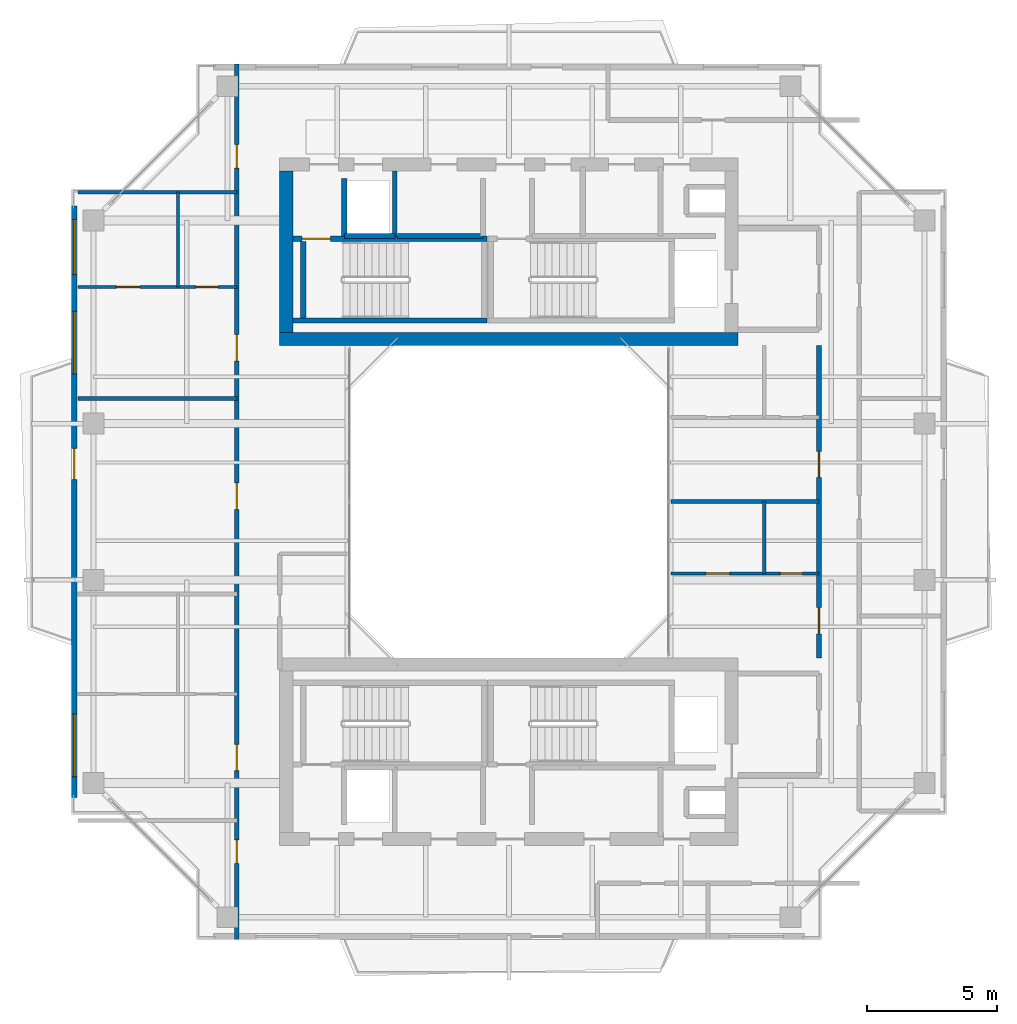
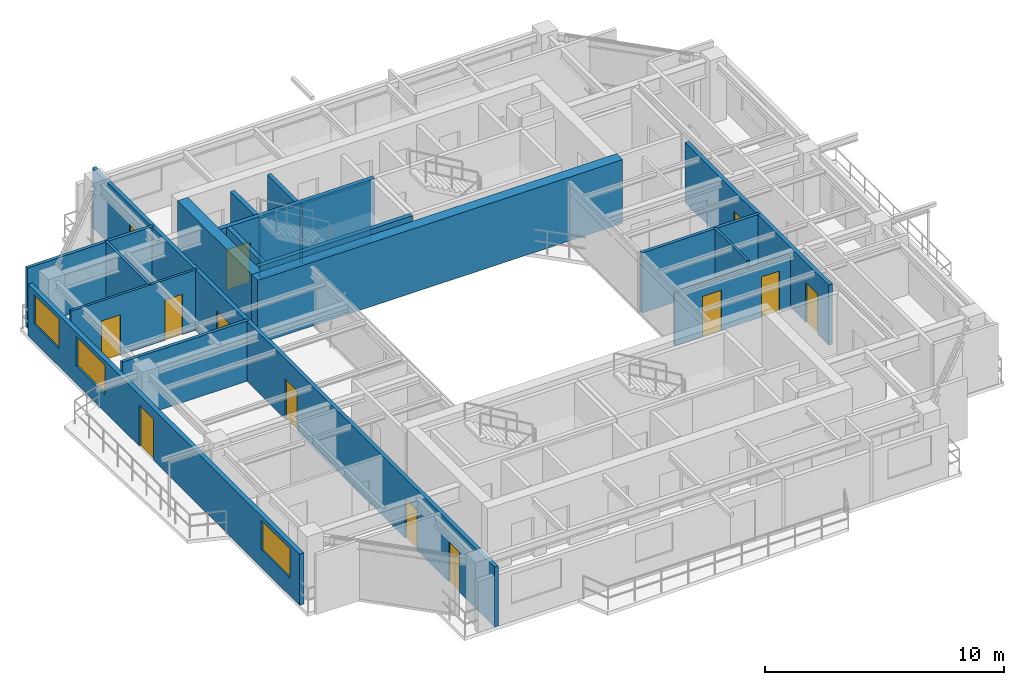
# One storey, part 11 of 15: 19 walls, 13 doors, 3 windows, 16 openings.
"""IFC4 building model written with IfcOpenShell, lengths in metres."""

from ifc_helpers import new_model, si_unit, direction, frame, frame_2d, origin, place, context, subcontext, project, spatial, rectangle, extrude, source, transform, mapped, material, layer, layer_set, type_object, element, fill, save


model = new_model("IFC4")

# Units and contexts
model_context = context("Model", 3, precision=1e-05, world=origin(), true_north=direction((0.0, 1.0)))
body_context = subcontext(model_context, "Body", "Model", "MODEL_VIEW")
ifc_project = project(units=[si_unit("LENGTHUNIT", "METRE"), si_unit("AREAUNIT", "SQUARE_METRE"), si_unit("VOLUMEUNIT", "CUBIC_METRE"), si_unit("PLANEANGLEUNIT", "RADIAN"), si_unit("MASSUNIT", "GRAM", prefix="KILO"), si_unit("THERMODYNAMICTEMPERATUREUNIT", "KELVIN"), si_unit("POWERUNIT", "WATT")], contexts=[model_context])

# Site, building, storey
site_placement = place(None, origin())
site = spatial("IfcSite", under=ifc_project, at=site_placement, CompositionType="ELEMENT")
building_placement = place(site_placement, origin())
building = spatial("IfcBuilding", under=site, at=building_placement, Name="Qiaomeng Ring Towers", CompositionType="ELEMENT")
storey_placement = place(building_placement, frame((0.0, 0.0, 206.75)))
storey = spatial("IfcBuildingStorey", under=building, at=storey_placement, Name="L60", CompositionType="ELEMENT", Elevation=206.75)

# Wall, openings, windows, door
ifc_material_1 = material(Name="Precast concrete C40", Category="concrete")
ifc_layer_1 = layer(ifc_material_1, 0.219970703125, Name="Precast concrete C40")
ifc_layer_set_1 = layer_set([ifc_layer_1], Name="Precast concrete C40")
wall_type_1 = type_object("IfcWallType", Name="ARC-WL-EW2", PredefinedType="STANDARD", material=ifc_layer_set_1)
wall_1_placement = place(storey_placement, frame((2.31005859375, 11.64990234375, 0.0), z_axis=(0.0, 0.0, 1.0), x_axis=(0.0, 1.0, 0.0)))
wall_1 = element("IfcWall", 1, at=wall_1_placement, inside=storey, type_object=wall_type_1, Name="L60 Tower 1 W Exterior Wall", PredefinedType="STANDARD", context=body_context, shape_type="SweptSolid", body=[
    extrude(rectangle(XDim=22.7001953125, YDim=0.219970703125, at=frame_2d((11.35009765625, 0.0))), origin(), (0.0, 0.0, 1.0), 2.610107421875),
])
opening_1_placement = place(wall_1_placement, frame((12.199951171875, 0.0, 0.0)))
opening_1 = element("IfcOpeningElement", 2, at=opening_1_placement, cuts=wall_1, Name="Opening BD1", PredefinedType="OPENING", context=body_context, shape_type="SweptSolid", body=[
    extrude(rectangle(XDim=1.199951171875, YDim=2.10009765625, at=frame_2d((0.60009765625, 1.050048828125))), frame((0.0, 0.119873046875, 0.0), z_axis=(0.0, -1.0, 0.0), x_axis=(1.0, 0.0, 0.0)), (0.0, 0.0, 1.0), 0.239990234375),
])
opening_2_placement = place(wall_1_placement, frame((0.800048828125, 0.0, 0.89990234375)))
opening_2 = element("IfcOpeningElement", 3, at=opening_2_placement, cuts=wall_1, Name="Opening WN6", PredefinedType="OPENING", context=body_context, shape_type="SweptSolid", body=[
    extrude(rectangle(XDim=2.39990234375, YDim=1.5, at=frame_2d((1.199951171875, 0.75))), frame((0.0, 0.119873046875, 0.0), z_axis=(0.0, -1.0, 0.0), x_axis=(1.0, 0.0, 0.0)), (0.0, 0.0, 1.0), 0.239990234375),
])
opening_3_placement = place(wall_1_placement, frame((20.080078125, 0.0, 0.89990234375)))
opening_3 = element("IfcOpeningElement", 4, at=opening_3_placement, cuts=wall_1, Name="Opening WN4", PredefinedType="OPENING", context=body_context, shape_type="SweptSolid", body=[
    extrude(rectangle(XDim=2.10009765625, YDim=1.5, at=frame_2d((1.050048828125, 0.75))), frame((0.0, 0.119873046875, 0.0), z_axis=(0.0, -1.0, 0.0), x_axis=(1.0, 0.0, 0.0)), (0.0, 0.0, 1.0), 0.239990234375),
])
opening_4_placement = place(wall_1_placement, frame((16.257568359375, 0.0, 0.89990234375)))
opening_4 = element("IfcOpeningElement", 5, at=opening_4_placement, cuts=wall_1, Name="Opening WN6", PredefinedType="OPENING", context=body_context, shape_type="SweptSolid", body=[
    extrude(rectangle(XDim=2.39990234375, YDim=1.5, at=frame_2d((1.199951171875, 0.75))), frame((0.0, 0.119873046875, 0.0), z_axis=(0.0, -1.0, 0.0), x_axis=(1.0, 0.0, 0.0)), (0.0, 0.0, 1.0), 0.239990234375),
])
ifc_material_2 = material(Name="Low-E dark-grey laminated double glazing", Category="glass")
window_type_1 = type_object("IfcWindowType", Name="ARC-WN-4", PartitioningType="TRIPLE_PANEL_VERTICAL", PredefinedType="WINDOW", material=ifc_material_2)
shared_shape_1 = source(origin(), body_context, "Body", "SweptSolid", [
    extrude(rectangle(XDim=2.10009765625, YDim=1.5, at=frame_2d((1.050048828125, 0.75))), frame((0.0, 0.030029296875, 0.0), z_axis=(0.0, -1.0, 0.0), x_axis=(1.0, 0.0, 0.0)), (0.0, 0.0, 1.0), 0.06005859375),
])
window_1_placement = place(opening_3_placement, origin())
window_1 = element("IfcWindow", 6, at=window_1_placement, inside=storey, type_object=window_type_1, Name="L60 Exterior Window WN4", OverallHeight=1.5, OverallWidth=2.10009765625, PartitioningType="TRIPLE_PANEL_VERTICAL", PredefinedType="WINDOW", context=body_context, shape_type="MappedRepresentation", body=[
    mapped(shared_shape_1, transform((0.0, 0.0, 0.0), x_axis=(1.0, 0.0, 0.0), y_axis=(0.0, 1.0, 0.0), z_axis=(0.0, 0.0, 1.0), scale=1.0)),
])
fill(opening_3, window_1)
door_type_1 = type_object("IfcDoorType", Name="ARC-DR-BD1", OperationType="NOTDEFINED", PredefinedType="DOOR", material=ifc_material_2)
shared_shape_2 = source(origin(), body_context, "Body", "SweptSolid", [
    extrude(rectangle(XDim=1.199951171875, YDim=2.10009765625, at=frame_2d((0.60009765625, 1.050048828125))), frame((0.0, 0.02490234375, 0.0), z_axis=(0.0, -1.0, 0.0), x_axis=(1.0, 0.0, 0.0)), (0.0, 0.0, 1.0), 0.050048828125),
])
door_1_placement = place(opening_1_placement, frame((1.199951171875, 0.0, 0.0), z_axis=(0.0, 0.0, 1.0), x_axis=(-1.0, 0.0, 0.0)))
door_1 = element("IfcDoor", 7, at=door_1_placement, inside=storey, type_object=door_type_1, Name="L60 W Balcony Glazed Door", OperationType="SINGLE_SWING_LEFT", OverallHeight=2.10009765625, OverallWidth=1.199951171875, PredefinedType="DOOR", context=body_context, shape_type="MappedRepresentation", body=[
    mapped(shared_shape_2, transform((0.0, 0.0, 0.0), x_axis=(1.0, 0.0, 0.0), y_axis=(0.0, 1.0, 0.0), z_axis=(0.0, 0.0, 1.0), scale=1.0)),
])
fill(opening_1, door_1)
window_type_2 = type_object("IfcWindowType", Name="ARC-WN-6", PartitioningType="TRIPLE_PANEL_VERTICAL", PredefinedType="WINDOW", material=ifc_material_2)
shared_shape_3 = source(origin(), body_context, "Body", "SweptSolid", [
    extrude(rectangle(XDim=2.39990234375, YDim=1.5, at=frame_2d((1.199951171875, 0.75))), frame((0.0, 0.030029296875, 0.0), z_axis=(0.0, -1.0, 0.0), x_axis=(1.0, 0.0, 0.0)), (0.0, 0.0, 1.0), 0.06005859375),
])
window_2_placement = place(opening_2_placement, origin())
window_2 = element("IfcWindow", 8, at=window_2_placement, inside=storey, type_object=window_type_2, Name="L60 Exterior Window WN6", OverallHeight=1.5, OverallWidth=2.39990234375, PartitioningType="TRIPLE_PANEL_VERTICAL", PredefinedType="WINDOW", context=body_context, shape_type="MappedRepresentation", body=[
    mapped(shared_shape_3, transform((0.0, 0.0, 0.0), x_axis=(1.0, 0.0, 0.0), y_axis=(0.0, 1.0, 0.0), z_axis=(0.0, 0.0, 1.0), scale=1.0)),
])
fill(opening_2, window_2)
window_3_placement = place(opening_4_placement, origin())
window_3 = element("IfcWindow", 9, at=window_3_placement, inside=storey, type_object=window_type_2, Name="L60 Exterior Window WN6", OverallHeight=1.5, OverallWidth=2.39990234375, PartitioningType="TRIPLE_PANEL_VERTICAL", PredefinedType="WINDOW", context=body_context, shape_type="MappedRepresentation", body=[
    mapped(shared_shape_3, transform((0.0, 0.0, 0.0), x_axis=(1.0, 0.0, 0.0), y_axis=(0.0, 1.0, 0.0), z_axis=(0.0, 0.0, 1.0), scale=1.0)),
])
fill(opening_4, window_3)

# Walls
ifc_material_3 = material(Name="Autoclaved aerated concrete block", Category="concrete")
ifc_layer_2 = layer(ifc_material_3, 0.199951171875, Name="Autoclaved aerated concrete block")
ifc_layer_set_2 = layer_set([ifc_layer_2], Name="Autoclaved aerated concrete block")
wall_type_2 = type_object("IfcWallType", Name="ARC-WL-PW1", PredefinedType="PARTITIONING", material=ifc_layer_set_2)
wall_2_placement = place(storey_placement, frame((12.679931640625, 33.18994140625, 0.0), z_axis=(0.0, 0.0, 1.0), x_axis=(0.0, 1.0, 0.0)))
element("IfcWall", 10, at=wall_2_placement, inside=storey, type_object=wall_type_2, Name="L60 Interior Wall PW1", PredefinedType="PARTITIONING", context=body_context, shape_type="SweptSolid", body=[
    extrude(rectangle(XDim=2.2099609375, YDim=0.199951171875, at=frame_2d((1.10498046875, 0.0))), origin(), (0.0, 0.0, 1.0), 3.070068359375),
])
wall_3_placement = place(storey_placement, frame((14.719970703125, 33.199951171875, 0.0), z_axis=(0.0, 0.0, 1.0), x_axis=(1.0, 0.0, 0.0)))
element("IfcWall", 11, at=wall_3_placement, inside=storey, type_object=wall_type_2, Name="L60 Interior Wall PW1", PredefinedType="PARTITIONING", context=body_context, shape_type="SweptSolid", body=[
    extrude(rectangle(XDim=3.280029296875, YDim=0.199951171875, at=frame_2d((1.64013671875, 0.0))), origin(), (0.0, 0.0, 1.0), 3.070068359375),
])

# Wall, openings, doors
ifc_layer_3 = layer(ifc_material_3, 0.179931640625, Name="Autoclaved aerated concrete block")
ifc_layer_set_3 = layer_set([ifc_layer_3], Name="Autoclaved aerated concrete block")
wall_type_3 = type_object("IfcWallType", Name="ARC-WL-PW2", PredefinedType="PARTITIONING", material=ifc_layer_set_3)
wall_4_placement = place(storey_placement, frame((8.550048828125, 6.199951171875, 0.0), z_axis=(0.0, 0.0, 1.0), x_axis=(0.0, 1.0, 0.0)))
wall_4 = element("IfcWall", 12, at=wall_4_placement, inside=storey, type_object=wall_type_3, Name="L60 Interior Wall PW2", PredefinedType="PARTITIONING", context=body_context, shape_type="SweptSolid", body=[
    extrude(rectangle(XDim=33.60009765625, YDim=0.179931640625, at=frame_2d((16.800048828125, 0.0))), origin(), (0.0, 0.0, 1.0), 3.070068359375),
])
opening_5_placement = place(wall_4_placement, frame((29.60498046875, 0.0, 0.0)))
opening_5 = element("IfcOpeningElement", 13, at=opening_5_placement, cuts=wall_4, Name="Opening ID1", PredefinedType="OPENING", context=body_context, shape_type="SweptSolid", body=[
    extrude(rectangle(XDim=0.89990234375, YDim=2.050048828125, at=frame_2d((0.449951171875, 1.02490234375))), frame((0.0, 0.099853515625, 0.0), z_axis=(0.0, -1.0, 0.0), x_axis=(1.0, 0.0, 0.0)), (0.0, 0.0, 1.0), 0.199951171875),
])
opening_6_placement = place(wall_4_placement, frame((2.919921875, 0.0, 0.0)))
opening_6 = element("IfcOpeningElement", 14, at=opening_6_placement, cuts=wall_4, Name="Opening ID1", PredefinedType="OPENING", context=body_context, shape_type="SweptSolid", body=[
    extrude(rectangle(XDim=0.89990234375, YDim=2.050048828125, at=frame_2d((0.449951171875, 1.02490234375))), frame((0.0, 0.099853515625, 0.0), z_axis=(0.0, -1.0, 0.0), x_axis=(1.0, 0.0, 0.0)), (0.0, 0.0, 1.0), 0.199951171875),
])
opening_7_placement = place(wall_4_placement, frame((6.47998046875, 0.0, 0.0)))
opening_7 = element("IfcOpeningElement", 15, at=opening_7_placement, cuts=wall_4, Name="Opening FD4", PredefinedType="OPENING", context=body_context, shape_type="SweptSolid", body=[
    extrude(rectangle(XDim=1.0, YDim=2.050048828125, at=frame_2d((0.5, 1.02490234375))), frame((0.0, 0.099853515625, 0.0), z_axis=(0.0, -1.0, 0.0), x_axis=(1.0, 0.0, 0.0)), (0.0, 0.0, 1.0), 0.199951171875),
])
opening_8_placement = place(wall_4_placement, frame((16.510009765625, 0.0, 0.0)))
opening_8 = element("IfcOpeningElement", 16, at=opening_8_placement, cuts=wall_4, Name="Opening FD4", PredefinedType="OPENING", context=body_context, shape_type="SweptSolid", body=[
    extrude(rectangle(XDim=1.0, YDim=2.050048828125, at=frame_2d((0.5, 1.02490234375))), frame((0.0, 0.099853515625, 0.0), z_axis=(0.0, -1.0, 0.0), x_axis=(1.0, 0.0, 0.0)), (0.0, 0.0, 1.0), 0.199951171875),
])
opening_9_placement = place(wall_4_placement, frame((22.2099609375, 0.0, 0.0)))
opening_9 = element("IfcOpeningElement", 17, at=opening_9_placement, cuts=wall_4, Name="Opening FD4", PredefinedType="OPENING", context=body_context, shape_type="SweptSolid", body=[
    extrude(rectangle(XDim=1.0, YDim=2.050048828125, at=frame_2d((0.5, 1.02490234375))), frame((0.0, 0.099853515625, 0.0), z_axis=(0.0, -1.0, 0.0), x_axis=(1.0, 0.0, 0.0)), (0.0, 0.0, 1.0), 0.199951171875),
])
ifc_material_4 = material(Name="Engineered fire-rated oak timber", Category="wood")
door_type_2 = type_object("IfcDoorType", Name="ARC-DR-FD4", OperationType="NOTDEFINED", PredefinedType="DOOR", material=ifc_material_4)
shared_shape_4 = source(origin(), body_context, "Body", "SweptSolid", [
    extrude(rectangle(XDim=1.0, YDim=2.050048828125, at=frame_2d((0.5, 1.02490234375))), frame((0.0, 0.02490234375, 0.0), z_axis=(0.0, -1.0, 0.0), x_axis=(1.0, 0.0, 0.0)), (0.0, 0.0, 1.0), 0.050048828125),
])
door_2_placement = place(opening_7_placement, origin())
door_2 = element("IfcDoor", 18, at=door_2_placement, inside=storey, type_object=door_type_2, Name="L60 Door FD4", OperationType="SINGLE_SWING_LEFT", OverallHeight=2.050048828125, OverallWidth=1.0, PredefinedType="DOOR", context=body_context, shape_type="MappedRepresentation", body=[
    mapped(shared_shape_4, transform((0.0, 0.0, 0.0), x_axis=(1.0, 0.0, 0.0), y_axis=(0.0, 1.0, 0.0), z_axis=(0.0, 0.0, 1.0), scale=1.0)),
])
fill(opening_7, door_2)
door_3_placement = place(opening_8_placement, origin())
door_3 = element("IfcDoor", 19, at=door_3_placement, inside=storey, type_object=door_type_2, Name="L60 Door FD4", OperationType="SINGLE_SWING_RIGHT", OverallHeight=2.050048828125, OverallWidth=1.0, PredefinedType="DOOR", context=body_context, shape_type="MappedRepresentation", body=[
    mapped(shared_shape_4, transform((0.0, 0.0, 0.0), x_axis=(1.0, 0.0, 0.0), y_axis=(0.0, 1.0, 0.0), z_axis=(0.0, 0.0, 1.0), scale=1.0)),
])
fill(opening_8, door_3)
door_4_placement = place(opening_9_placement, origin())
door_4 = element("IfcDoor", 20, at=door_4_placement, inside=storey, type_object=door_type_2, Name="L60 Door FD4", OperationType="SINGLE_SWING_LEFT", OverallHeight=2.050048828125, OverallWidth=1.0, PredefinedType="DOOR", context=body_context, shape_type="MappedRepresentation", body=[
    mapped(shared_shape_4, transform((0.0, 0.0, 0.0), x_axis=(1.0, 0.0, 0.0), y_axis=(0.0, 1.0, 0.0), z_axis=(0.0, 0.0, 1.0), scale=1.0)),
])
fill(opening_9, door_4)
ifc_material_5 = material(Name="Engineered oak timber", Category="wood")
door_type_3 = type_object("IfcDoorType", Name="ARC-DR-ID1", OperationType="NOTDEFINED", PredefinedType="DOOR", material=ifc_material_5)
shared_shape_5 = source(origin(), body_context, "Body", "SweptSolid", [
    extrude(rectangle(XDim=0.89990234375, YDim=2.050048828125, at=frame_2d((0.449951171875, 1.02490234375))), frame((0.0, 0.02490234375, 0.0), z_axis=(0.0, -1.0, 0.0), x_axis=(1.0, 0.0, 0.0)), (0.0, 0.0, 1.0), 0.050048828125),
])
door_5_placement = place(opening_5_placement, origin())
door_5 = element("IfcDoor", 21, at=door_5_placement, inside=storey, type_object=door_type_3, Name="L60 Door ID1", OperationType="SINGLE_SWING_LEFT", OverallHeight=2.050048828125, OverallWidth=0.89990234375, PredefinedType="DOOR", context=body_context, shape_type="MappedRepresentation", body=[
    mapped(shared_shape_5, transform((0.0, 0.0, 0.0), x_axis=(1.0, 0.0, 0.0), y_axis=(0.0, 1.0, 0.0), z_axis=(0.0, 0.0, 1.0), scale=1.0)),
])
fill(opening_5, door_5)
door_6_placement = place(opening_6_placement, origin())
door_6 = element("IfcDoor", 22, at=door_6_placement, inside=storey, type_object=door_type_3, Name="L60 Door ID1", OperationType="SINGLE_SWING_RIGHT", OverallHeight=2.050048828125, OverallWidth=0.89990234375, PredefinedType="DOOR", context=body_context, shape_type="MappedRepresentation", body=[
    mapped(shared_shape_5, transform((0.0, 0.0, 0.0), x_axis=(1.0, 0.0, 0.0), y_axis=(0.0, 1.0, 0.0), z_axis=(0.0, 0.0, 1.0), scale=1.0)),
])
fill(opening_6, door_6)

wall_5_placement = place(storey_placement, frame((30.89990234375, 17.0, 0.0), z_axis=(0.0, 0.0, 1.0), x_axis=(0.0, 1.0, 0.0)))
wall_5 = element("IfcWall", 23, at=wall_5_placement, inside=storey, type_object=wall_type_3, Name="L60 Interior Wall PW2", PredefinedType="PARTITIONING", context=body_context, shape_type="SweptSolid", body=[
    extrude(rectangle(XDim=12.0, YDim=0.179931640625, at=frame_2d((6.0, 0.0))), origin(), (0.0, 0.0, 1.0), 3.070068359375),
])
opening_10_placement = place(wall_5_placement, frame((0.929931640625, 0.0, 0.0)))
opening_10 = element("IfcOpeningElement", 24, at=opening_10_placement, cuts=wall_5, Name="Opening FD4", PredefinedType="OPENING", context=body_context, shape_type="SweptSolid", body=[
    extrude(rectangle(XDim=1.0, YDim=2.050048828125, at=frame_2d((0.5, 1.02490234375))), frame((0.0, 0.099853515625, 0.0), z_axis=(0.0, -1.0, 0.0), x_axis=(1.0, 0.0, 0.0)), (0.0, 0.0, 1.0), 0.199951171875),
])
opening_11_placement = place(wall_5_placement, frame((6.929931640625, 0.0, 0.0)))
opening_11 = element("IfcOpeningElement", 25, at=opening_11_placement, cuts=wall_5, Name="Opening FD4", PredefinedType="OPENING", context=body_context, shape_type="SweptSolid", body=[
    extrude(rectangle(XDim=1.0, YDim=2.050048828125, at=frame_2d((0.5, 1.02490234375))), frame((0.0, 0.099853515625, 0.0), z_axis=(0.0, -1.0, 0.0), x_axis=(1.0, 0.0, 0.0)), (0.0, 0.0, 1.0), 0.199951171875),
])
door_7_placement = place(opening_10_placement, origin())
door_7 = element("IfcDoor", 26, at=door_7_placement, inside=storey, type_object=door_type_2, Name="L60 Door FD4", OperationType="SINGLE_SWING_LEFT", OverallHeight=2.050048828125, OverallWidth=1.0, PredefinedType="DOOR", context=body_context, shape_type="MappedRepresentation", body=[
    mapped(shared_shape_4, transform((0.0, 0.0, 0.0), x_axis=(1.0, 0.0, 0.0), y_axis=(0.0, 1.0, 0.0), z_axis=(0.0, 0.0, 1.0), scale=1.0)),
])
fill(opening_10, door_7)
door_8_placement = place(opening_11_placement, origin())
door_8 = element("IfcDoor", 27, at=door_8_placement, inside=storey, type_object=door_type_2, Name="L60 Door FD4", OperationType="SINGLE_SWING_RIGHT", OverallHeight=2.050048828125, OverallWidth=1.0, PredefinedType="DOOR", context=body_context, shape_type="MappedRepresentation", body=[
    mapped(shared_shape_4, transform((0.0, 0.0, 0.0), x_axis=(1.0, 0.0, 0.0), y_axis=(0.0, 1.0, 0.0), z_axis=(0.0, 0.0, 1.0), scale=1.0)),
])
fill(opening_11, door_8)

# Walls
ifc_material_6 = material(Name="Gypsum fireboard steel-stud partition", Category="steel")
ifc_layer_4 = layer(ifc_material_6, 0.14990234375, Name="Gypsum fireboard steel-stud partition")
ifc_layer_set_4 = layer_set([ifc_layer_4], Name="Gypsum fireboard steel-stud partition")
wall_type_4 = type_object("IfcWallType", Name="ARC-WL-PW3", PredefinedType="PARTITIONING", material=ifc_layer_set_4)
for number, where, z_axis, x_axis, name in (
    (28, (2.449951171875, 34.8798828125, 0.0), (0.0, 0.0, 1.0), (1.0, 0.0, 0.0), "L60 Interior Wall PW3"),
    (29, (2.449951171875, 26.9599609375, 0.0), (0.0, 0.0, 1.0), (1.0, 0.0, 0.0), "L60 Interior Wall PW3"),
):
    element("IfcWall", number, at=place(storey_placement, frame(where, z_axis=z_axis, x_axis=x_axis)), inside=storey, type_object=wall_type_4, Name=name, PredefinedType="PARTITIONING", context=body_context, shape_type="SweptSolid", body=[
        extrude(rectangle(XDim=6.10009765625, YDim=0.14990234375, at=frame_2d((3.050048828125, 0.0))), origin(), (0.0, 0.0, 1.0), 3.070068359375),
    ])
wall_6_placement = place(storey_placement, frame((25.219970703125, 23.0, 0.0), z_axis=(0.0, 0.0, 1.0), x_axis=(1.0, 0.0, 0.0)))
element("IfcWall", 30, at=wall_6_placement, inside=storey, type_object=wall_type_4, Name="L60 Interior Wall PW3", PredefinedType="PARTITIONING", context=body_context, shape_type="SweptSolid", body=[
    extrude(rectangle(XDim=5.679931640625, YDim=0.14990234375, at=frame_2d((2.83984375, 0.0))), origin(), (0.0, 0.0, 1.0), 3.070068359375),
])

# Wall, openings, doors
ifc_material_7 = material(Name="Moisture-resistant gypsum steel-stud partition", Category="steel")
ifc_layer_5 = layer(ifc_material_7, 0.1201171875, Name="Moisture-resistant gypsum steel-stud partition")
ifc_layer_set_5 = layer_set([ifc_layer_5], Name="Moisture-resistant gypsum steel-stud partition")
wall_type_5 = type_object("IfcWallType", Name="ARC-WL-PW4", PredefinedType="PLUMBINGWALL", material=ifc_layer_set_5)
wall_7_placement = place(storey_placement, frame((2.449951171875, 31.239990234375, 0.0), z_axis=(0.0, 0.0, 1.0), x_axis=(1.0, 0.0, 0.0)))
wall_7 = element("IfcWall", 31, at=wall_7_placement, inside=storey, type_object=wall_type_5, Name="L60 Interior Wall PW4", PredefinedType="PLUMBINGWALL", context=body_context, shape_type="SweptSolid", body=[
    extrude(rectangle(XDim=6.10009765625, YDim=0.1201171875, at=frame_2d((3.050048828125, 0.0))), origin(), (0.0, 0.0, 1.0), 3.070068359375),
])
opening_12_placement = place(wall_7_placement, frame((1.47998046875, 0.0, 0.0)))
opening_12 = element("IfcOpeningElement", 32, at=opening_12_placement, cuts=wall_7, Name="Opening ID1", PredefinedType="OPENING", context=body_context, shape_type="SweptSolid", body=[
    extrude(rectangle(XDim=0.89990234375, YDim=2.050048828125, at=frame_2d((0.449951171875, 1.02490234375))), frame((0.0, 0.070068359375, 0.0), z_axis=(0.0, -1.0, 0.0), x_axis=(1.0, 0.0, 0.0)), (0.0, 0.0, 1.0), 0.14013671875),
])
opening_13_placement = place(wall_7_placement, frame((4.534912109375, 0.0, 0.0)))
opening_13 = element("IfcOpeningElement", 33, at=opening_13_placement, cuts=wall_7, Name="Opening ID2", PredefinedType="OPENING", context=body_context, shape_type="SweptSolid", body=[
    extrude(rectangle(XDim=0.85009765625, YDim=2.050048828125, at=frame_2d((0.425048828125, 1.02490234375))), frame((0.0, 0.070068359375, 0.0), z_axis=(0.0, -1.0, 0.0), x_axis=(1.0, 0.0, 0.0)), (0.0, 0.0, 1.0), 0.14013671875),
])
ifc_material_8 = material(Name="Moisture-resistant engineered timber", Category="wood")
door_type_4 = type_object("IfcDoorType", Name="ARC-DR-ID2", OperationType="NOTDEFINED", PredefinedType="DOOR", material=ifc_material_8)
shared_shape_6 = source(origin(), body_context, "Body", "SweptSolid", [
    extrude(rectangle(XDim=0.85009765625, YDim=2.050048828125, at=frame_2d((0.425048828125, 1.02490234375))), frame((0.0, 0.02490234375, 0.0), z_axis=(0.0, -1.0, 0.0), x_axis=(1.0, 0.0, 0.0)), (0.0, 0.0, 1.0), 0.050048828125),
])
door_9_placement = place(opening_13_placement, origin())
door_9 = element("IfcDoor", 34, at=door_9_placement, inside=storey, type_object=door_type_4, Name="L60 Door ID2", OperationType="SINGLE_SWING_RIGHT", OverallHeight=2.050048828125, OverallWidth=0.85009765625, PredefinedType="DOOR", context=body_context, shape_type="MappedRepresentation", body=[
    mapped(shared_shape_6, transform((0.0, 0.0, 0.0), x_axis=(1.0, 0.0, 0.0), y_axis=(0.0, 1.0, 0.0), z_axis=(0.0, 0.0, 1.0), scale=1.0)),
])
fill(opening_13, door_9)
door_10_placement = place(opening_12_placement, origin())
door_10 = element("IfcDoor", 35, at=door_10_placement, inside=storey, type_object=door_type_3, Name="L60 Door ID1", OperationType="SINGLE_SWING_LEFT", OverallHeight=2.050048828125, OverallWidth=0.89990234375, PredefinedType="DOOR", context=body_context, shape_type="MappedRepresentation", body=[
    mapped(shared_shape_5, transform((0.0, 0.0, 0.0), x_axis=(1.0, 0.0, 0.0), y_axis=(0.0, 1.0, 0.0), z_axis=(0.0, 0.0, 1.0), scale=1.0)),
])
fill(opening_12, door_10)

# Wall
wall_8_placement = place(storey_placement, frame((6.2900390625, 31.239990234375, 0.0), z_axis=(0.0, 0.0, 1.0), x_axis=(0.0, 1.0, 0.0)))
element("IfcWall", 36, at=wall_8_placement, inside=storey, type_object=wall_type_5, Name="L60 Interior Wall PW4", PredefinedType="PLUMBINGWALL", context=body_context, shape_type="SweptSolid", body=[
    extrude(rectangle(XDim=3.639892578125, YDim=0.1201171875, at=frame_2d((1.81982421875, 0.0))), origin(), (0.0, 0.0, 1.0), 3.070068359375),
])

# Wall, openings, doors
wall_9_placement = place(storey_placement, frame((25.219970703125, 20.239990234375, 0.0), z_axis=(0.0, 0.0, 1.0), x_axis=(1.0, 0.0, 0.0)))
wall_9 = element("IfcWall", 37, at=wall_9_placement, inside=storey, type_object=wall_type_5, Name="L60 Interior Wall PW4", PredefinedType="PLUMBINGWALL", context=body_context, shape_type="SweptSolid", body=[
    extrude(rectangle(XDim=5.679931640625, YDim=0.1201171875, at=frame_2d((2.83984375, 0.0))), origin(), (0.0, 0.0, 1.0), 2.675048828125),
])
opening_14_placement = place(wall_9_placement, frame((1.35009765625, 0.0, 0.0)))
opening_14 = element("IfcOpeningElement", 38, at=opening_14_placement, cuts=wall_9, Name="Opening ID1", PredefinedType="OPENING", context=body_context, shape_type="SweptSolid", body=[
    extrude(rectangle(XDim=0.89990234375, YDim=2.050048828125, at=frame_2d((0.449951171875, 1.02490234375))), frame((0.0, 0.070068359375, 0.0), z_axis=(0.0, -1.0, 0.0), x_axis=(1.0, 0.0, 0.0)), (0.0, 0.0, 1.0), 0.14013671875),
])
opening_15_placement = place(wall_9_placement, frame((4.195068359375, 0.0, 0.0)))
opening_15 = element("IfcOpeningElement", 39, at=opening_15_placement, cuts=wall_9, Name="Opening ID2", PredefinedType="OPENING", context=body_context, shape_type="SweptSolid", body=[
    extrude(rectangle(XDim=0.85009765625, YDim=2.050048828125, at=frame_2d((0.425048828125, 1.02490234375))), frame((0.0, 0.070068359375, 0.0), z_axis=(0.0, -1.0, 0.0), x_axis=(1.0, 0.0, 0.0)), (0.0, 0.0, 1.0), 0.14013671875),
])
door_11_placement = place(opening_15_placement, origin())
door_11 = element("IfcDoor", 40, at=door_11_placement, inside=storey, type_object=door_type_4, Name="L60 Door ID2", OperationType="SINGLE_SWING_RIGHT", OverallHeight=2.050048828125, OverallWidth=0.85009765625, PredefinedType="DOOR", context=body_context, shape_type="MappedRepresentation", body=[
    mapped(shared_shape_6, transform((0.0, 0.0, 0.0), x_axis=(1.0, 0.0, 0.0), y_axis=(0.0, 1.0, 0.0), z_axis=(0.0, 0.0, 1.0), scale=1.0)),
])
fill(opening_15, door_11)
door_12_placement = place(opening_14_placement, origin())
door_12 = element("IfcDoor", 41, at=door_12_placement, inside=storey, type_object=door_type_3, Name="L60 Door ID1", OperationType="SINGLE_SWING_LEFT", OverallHeight=2.050048828125, OverallWidth=0.89990234375, PredefinedType="DOOR", context=body_context, shape_type="MappedRepresentation", body=[
    mapped(shared_shape_5, transform((0.0, 0.0, 0.0), x_axis=(1.0, 0.0, 0.0), y_axis=(0.0, 1.0, 0.0), z_axis=(0.0, 0.0, 1.0), scale=1.0)),
])
fill(opening_14, door_12)

# Walls
wall_10_placement = place(storey_placement, frame((28.800048828125, 20.239990234375, 0.0), z_axis=(0.0, 0.0, 1.0), x_axis=(0.0, 1.0, 0.0)))
element("IfcWall", 42, at=wall_10_placement, inside=storey, type_object=wall_type_5, Name="L60 Interior Wall PW4", PredefinedType="PLUMBINGWALL", context=body_context, shape_type="SweptSolid", body=[
    extrude(rectangle(XDim=2.760009765625, YDim=0.1201171875, at=frame_2d((1.3798828125, 0.0))), origin(), (0.0, 0.0, 1.0), 3.070068359375),
])
ifc_material_9 = material(Name="Concrete C40", Category="concrete")
ifc_layer_6 = layer(ifc_material_9, 0.199951171875, Name="Concrete C40")
ifc_layer_set_6 = layer_set([ifc_layer_6], Name="Concrete C40")
wall_type_6 = type_object("IfcWallType", Name="STR-WL-STSHAFT", PredefinedType="SHEAR", material=ifc_layer_set_6)
wall_11_placement = place(storey_placement, frame((12.679931640625, 33.199951171875, 0.0), z_axis=(0.0, 0.0, 1.0), x_axis=(1.0, 0.0, 0.0)))
element("IfcWall", 43, at=wall_11_placement, inside=storey, type_object=wall_type_6, Name="L60 Lift LP5 Shaft Back Wall", PredefinedType="SHEAR", context=body_context, shape_type="SweptSolid", body=[
    extrude(rectangle(XDim=1.940185546875, YDim=0.179931640625, at=frame_2d((0.97021484375, 0.0))), origin(), (0.0, 0.0, 1.0), 3.070068359375),
])
wall_12_placement = place(storey_placement, frame((14.6201171875, 33.199951171875, 0.0), z_axis=(0.0, 0.0, 1.0), x_axis=(0.0, 1.0, 0.0)))
element("IfcWall", 44, at=wall_12_placement, inside=storey, type_object=wall_type_6, Name="L60 Lift LP5-LP3 Shaft Divider Wall", PredefinedType="SHEAR", context=body_context, shape_type="SweptSolid", body=[
    extrude(rectangle(XDim=2.5, YDim=0.179931640625, at=frame_2d((1.25, 0.0))), origin(), (0.0, 0.0, 1.0), 3.070068359375),
])
wall_13_placement = place(storey_placement, frame((10.699951171875, 29.949951171875, 0.0), z_axis=(0.0, 0.0, 1.0), x_axis=(1.0, 0.0, 0.0)))
element("IfcWall", 45, at=wall_13_placement, inside=storey, type_object=wall_type_6, Name="L60 Stair ST1 South Shaft Shear Wall", PredefinedType="SHEAR", context=body_context, shape_type="SweptSolid", body=[
    extrude(rectangle(XDim=7.449951171875, YDim=0.199951171875, at=frame_2d((3.72509765625, 0.0))), origin(), (0.0, 0.0, 1.0), 3.25),
])

# Wall, opening, door
wall_14_placement = place(storey_placement, frame((10.699951171875, 33.090087890625, 0.0), z_axis=(0.0, 0.0, 1.0), x_axis=(1.0, 0.0, 0.0)))
wall_14 = element("IfcWall", 46, at=wall_14_placement, inside=storey, type_object=wall_type_6, Name="L60 Stair ST1 North Shaft Shear Wall", PredefinedType="SHEAR", context=body_context, shape_type="SweptSolid", body=[
    extrude(rectangle(XDim=7.449951171875, YDim=0.199951171875, at=frame_2d((3.72509765625, 0.0))), origin(), (0.0, 0.0, 1.0), 3.25),
])
opening_16_placement = place(wall_14_placement, frame((0.35009765625, 0.0, 0.0)))
opening_16 = element("IfcOpeningElement", 47, at=opening_16_placement, cuts=wall_14, Name="Opening FD3", PredefinedType="OPENING", context=body_context, shape_type="SweptSolid", body=[
    extrude(rectangle(XDim=1.10009765625, YDim=2.050048828125, at=frame_2d((0.550048828125, 1.02490234375))), frame((0.0, 0.10986328125, 0.0), z_axis=(0.0, -1.0, 0.0), x_axis=(1.0, 0.0, 0.0)), (0.0, 0.0, 1.0), 0.219970703125),
])
ifc_material_10 = material(Name="Galvanised steel", Category="steel")
door_type_5 = type_object("IfcDoorType", Name="ARC-DR-FD3", OperationType="NOTDEFINED", PredefinedType="DOOR", material=ifc_material_10)
shared_shape_7 = source(origin(), body_context, "Body", "SweptSolid", [
    extrude(rectangle(XDim=1.10009765625, YDim=2.050048828125, at=frame_2d((0.550048828125, 1.02490234375))), frame((0.0, 0.02490234375, 0.0), z_axis=(0.0, -1.0, 0.0), x_axis=(1.0, 0.0, 0.0)), (0.0, 0.0, 1.0), 0.050048828125),
])
door_13_placement = place(opening_16_placement, origin())
door_13 = element("IfcDoor", 48, at=door_13_placement, inside=storey, type_object=door_type_5, Name="L60 Stair ST1 Exit Door", OperationType="SINGLE_SWING_RIGHT", OverallHeight=2.050048828125, OverallWidth=1.10009765625, PredefinedType="DOOR", context=body_context, shape_type="MappedRepresentation", body=[
    mapped(shared_shape_7, transform((0.0, 0.0, 0.0), x_axis=(1.0, 0.0, 0.0), y_axis=(0.0, 1.0, 0.0), z_axis=(0.0, 0.0, 1.0), scale=1.0)),
])
fill(opening_16, door_13)

# Walls
wall_15_placement = place(storey_placement, frame((11.10009765625, 30.050048828125, 0.0), z_axis=(0.0, 0.0, 1.0), x_axis=(0.0, 1.0, 0.0)))
element("IfcWall", 49, at=wall_15_placement, inside=storey, type_object=wall_type_6, Name="L60 Stair ST1 West Shaft Shear Wall", PredefinedType="SHEAR", context=body_context, shape_type="SweptSolid", body=[
    extrude(rectangle(XDim=2.93994140625, YDim=0.199951171875, at=frame_2d((1.469970703125, 0.0))), origin(), (0.0, 0.0, 1.0), 3.25),
])
ifc_layer_7 = layer(ifc_material_9, 0.5, Name="Concrete C40")
ifc_layer_set_7 = layer_set([ifc_layer_7], Name="Concrete C40")
wall_type_7 = type_object("IfcWallType", Name="STR-WL-SW3", PredefinedType="SHEAR", material=ifc_layer_set_7)
wall_16_placement = place(storey_placement, frame((10.199951171875, 29.25, 0.0), z_axis=(0.0, 0.0, 1.0), x_axis=(1.0, 0.0, 0.0)))
element("IfcWall", 50, at=wall_16_placement, inside=storey, type_object=wall_type_7, Name="L60 T1NC south core shear wall", PredefinedType="SHEAR", context=body_context, shape_type="SweptSolid", body=[
    extrude(rectangle(XDim=17.60009765625, YDim=0.5, at=frame_2d((8.800048828125, 0.0))), origin(), (0.0, 0.0, 1.0), 3.25),
])
wall_17_placement = place(storey_placement, frame((10.449951171875, 29.5, 0.0), z_axis=(0.0, 0.0, 1.0), x_axis=(0.0, 1.0, 0.0)))
element("IfcWall", 51, at=wall_17_placement, inside=storey, type_object=wall_type_7, Name="L60 T1NC west core shear wall", PredefinedType="SHEAR", context=body_context, shape_type="SweptSolid", body=[
    extrude(rectangle(XDim=6.199951171875, YDim=0.5, at=frame_2d((3.10009765625, 0.0))), origin(), (0.0, 0.0, 1.0), 3.25),
])

save(model, "model.ifc")
